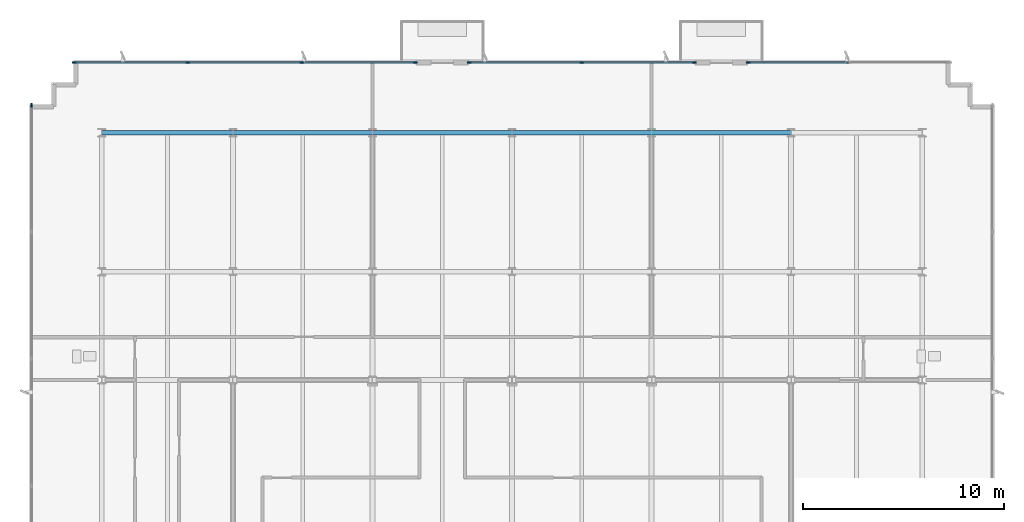
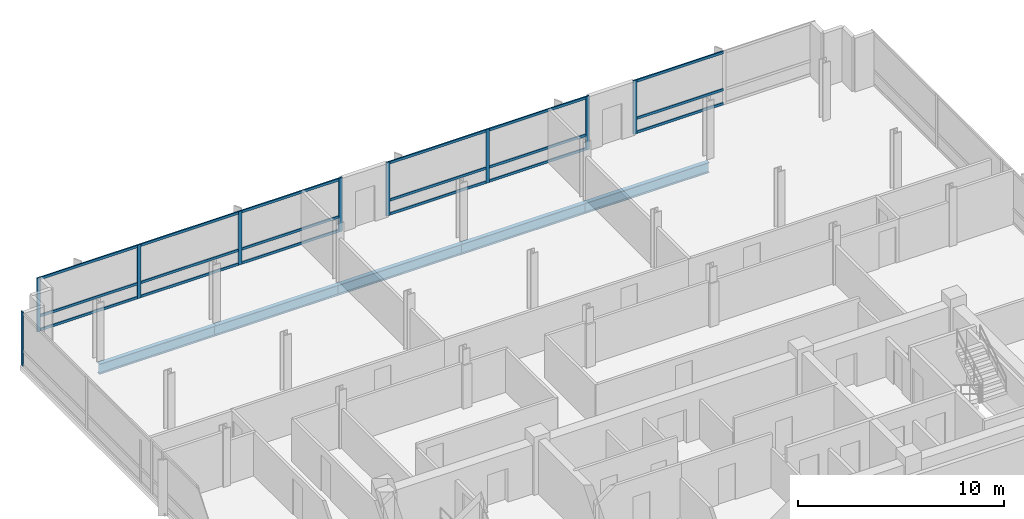
# One storey, part 5 of 13: 27 members, 5 beams, 4 elements without a shape of their own.
"""IFC4 building model written with IfcOpenShell, lengths in metres."""

from ifc_helpers import new_model, si_unit, direction, frame, origin, origin_2d, place, context, subcontext, project, spatial, rectangle, i_section, extrude, material, material_profile, profile_set, type_object, element, aggregate, save


model = new_model("IFC4")

# Units and contexts
model_context = context("Model", 3, precision=1e-05, world=origin(), true_north=direction((0.0, 1.0)))
body_context = subcontext(model_context, "Body", "Model", "MODEL_VIEW")
ifc_project = project(units=[si_unit("LENGTHUNIT", "METRE"), si_unit("AREAUNIT", "SQUARE_METRE"), si_unit("VOLUMEUNIT", "CUBIC_METRE"), si_unit("PLANEANGLEUNIT", "RADIAN"), si_unit("MASSUNIT", "GRAM", prefix="KILO")], contexts=[model_context])

# Site, building, storey
site_placement = place(None, origin())
site = spatial("IfcSite", under=ifc_project, at=site_placement, CompositionType="ELEMENT")
building_placement = place(site_placement, origin())
building = spatial("IfcBuilding", under=site, at=building_placement, Name="Solmavex Isthmus Hotel", CompositionType="ELEMENT")
storey_placement = place(building_placement, frame((0.0, 0.0, 279.89990234375)))
storey = spatial("IfcBuildingStorey", under=building, at=storey_placement, Name="L76", CompositionType="ELEMENT", Elevation=279.89990234375)

# Beams
ifc_material_1 = material(Name="Steel ASTM A992 Grade 50", Category="steel")
ifc_material_profile_1 = material_profile(ifc_material_1, i_section(OverallWidth=0.230224609375, OverallDepth=0.617431640625, WebThickness=0.01318359375, FlangeThickness=0.022216796875, FilletRadius=0.01513671875, at=origin_2d()), Name="W24X94")
ifc_profile_set_1 = profile_set([ifc_material_profile_1], Name="Steel ASTM A992 Grade 50")
beam_type = type_object("IfcBeamType", Name="BM-SP-W24X94", PredefinedType="SPANDREL", material=ifc_profile_set_1)
beam_placement = place(storey_placement, frame((-20.39990234375, 17.699951171875, -0.568603515625), z_axis=(1.0, 0.0, 0.0), x_axis=(0.0, 1.0, 0.0)))
element("IfcBeam", 1, at=beam_placement, inside=storey, type_object=beam_type, Name="Floor Girder L76-UG15", PredefinedType="SPANDREL", context=body_context, shape_type="SweptSolid", body=[
    extrude(i_section(OverallWidth=0.230224609375, OverallDepth=0.617431640625, WebThickness=0.01318359375, FlangeThickness=0.022216796875, FilletRadius=0.01513671875, at=origin_2d()), origin(), (0.0, 0.0, 1.0), 6.52783203125),
])
for number, where, z_axis, x_axis, name in (
    (2, (-13.8720703125, 17.699951171875, -0.568603515625), (1.0, 0.0, 0.0), (0.0, 1.0, 0.0), "Floor Girder L76-UG16"),
    (3, (-6.93603515625, 17.699951171875, -0.568603515625), (1.0, 0.0, 0.0), (0.0, 1.0, 0.0), "Floor Girder L76-UG17"),
    (4, (0.0, 17.699951171875, -0.568603515625), (1.0, 0.0, 0.0), (0.0, 1.0, 0.0), "Floor Girder L76-UG18"),
    (5, (6.93603515625, 17.699951171875, -0.568603515625), (1.0, 0.0, 0.0), (0.0, 1.0, 0.0), "Floor Girder L76-UG19"),
):
    element("IfcBeam", number, at=place(storey_placement, frame(where, z_axis=z_axis, x_axis=x_axis)), inside=storey, type_object=beam_type, Name=name, PredefinedType="SPANDREL", context=body_context, shape_type="SweptSolid", body=[
        extrude(i_section(OverallWidth=0.230224609375, OverallDepth=0.617431640625, WebThickness=0.01318359375, FlangeThickness=0.022216796875, FilletRadius=0.01513671875, at=origin_2d()), origin(), (0.0, 0.0, 1.0), 6.93603515625),
    ])

# Curtain wall, members
ifc_material_2 = material(Name="Aluminium alloy 6063-T6", Category="aluminium")
curtain_wall_type = type_object("IfcCurtainWallType", Name="CW-SYS-04", PredefinedType="NOTDEFINED", material=ifc_material_2)
curtain_wall_1_placement = place(storey_placement, origin())
curtain_wall_1 = element("IfcCurtainWall", 6, at=curtain_wall_1_placement, inside=storey, type_object=curtain_wall_type, Name="Stick Curtain Wall CWL-L76-N1", PredefinedType="NOTDEFINED")
ifc_material_profile_2 = material_profile(ifc_material_2, rectangle(XDim=0.074951171875, YDim=0.199951171875, at=origin_2d()), Name="CWM-75X200")
ifc_profile_set_2 = profile_set([ifc_material_profile_2], Name="Aluminium alloy 6063-T6")
member_type_1 = type_object("IfcMemberType", Name="CW-SYS-04-MUL", PredefinedType="MULLION", material=ifc_profile_set_2)
member_1_placement = place(storey_placement, frame((-21.762451171875, 21.179931640625, 0.0), z_axis=(0.0, 0.0, 1.0), x_axis=(0.0, 1.0, 0.0)))
member_1 = element("IfcMember", 7, at=member_1_placement, type_object=member_type_1, Name="CW-04 mullion 1", PredefinedType="MULLION", context=body_context, shape_type="SweptSolid", body=[
    extrude(rectangle(XDim=0.074951171875, YDim=0.199951171875, at=origin_2d()), origin(), (0.0, 0.0, 1.0), 3.190185546875),
])
member_2_placement = place(storey_placement, frame((-16.12255859375, 21.179931640625, 0.0), z_axis=(0.0, 0.0, 1.0), x_axis=(0.0, 1.0, 0.0)))
member_2 = element("IfcMember", 8, at=member_2_placement, type_object=member_type_1, Name="CW-04 mullion 2", PredefinedType="MULLION", context=body_context, shape_type="SweptSolid", body=[
    extrude(rectangle(XDim=0.074951171875, YDim=0.199951171875, at=origin_2d()), origin(), (0.0, 0.0, 1.0), 3.190185546875),
])
member_3_placement = place(storey_placement, frame((-10.4453125, 21.179931640625, 0.0), z_axis=(0.0, 0.0, 1.0), x_axis=(0.0, 1.0, 0.0)))
member_3 = element("IfcMember", 9, at=member_3_placement, type_object=member_type_1, Name="CW-04 mullion 3", PredefinedType="MULLION", context=body_context, shape_type="SweptSolid", body=[
    extrude(rectangle(XDim=0.074951171875, YDim=0.199951171875, at=origin_2d()), origin(), (0.0, 0.0, 1.0), 3.190185546875),
])
member_4_placement = place(storey_placement, frame((-4.805419921875, 21.179931640625, 0.0), z_axis=(0.0, 0.0, 1.0), x_axis=(0.0, 1.0, 0.0)))
member_4 = element("IfcMember", 10, at=member_4_placement, type_object=member_type_1, Name="CW-04 mullion 4", PredefinedType="MULLION", context=body_context, shape_type="SweptSolid", body=[
    extrude(rectangle(XDim=0.074951171875, YDim=0.199951171875, at=origin_2d()), origin(), (0.0, 0.0, 1.0), 3.190185546875),
])

curtain_wall_2_placement = place(storey_placement, origin())
curtain_wall_2 = element("IfcCurtainWall", 11, at=curtain_wall_2_placement, inside=storey, type_object=curtain_wall_type, Name="Stick Curtain Wall CWL-L76-N2", PredefinedType="NOTDEFINED")
member_5_placement = place(storey_placement, frame((-2.130615234375, 21.179931640625, 0.0), z_axis=(0.0, 0.0, 1.0), x_axis=(0.0, 1.0, 0.0)))
member_5 = element("IfcMember", 12, at=member_5_placement, type_object=member_type_1, Name="CW-04 mullion 1", PredefinedType="MULLION", context=body_context, shape_type="SweptSolid", body=[
    extrude(rectangle(XDim=0.074951171875, YDim=0.199951171875, at=origin_2d()), origin(), (0.0, 0.0, 1.0), 3.190185546875),
])
member_6_placement = place(storey_placement, frame((3.468017578125, 21.179931640625, 0.0), z_axis=(0.0, 0.0, 1.0), x_axis=(0.0, 1.0, 0.0)))
member_6 = element("IfcMember", 13, at=member_6_placement, type_object=member_type_1, Name="CW-04 mullion 2", PredefinedType="MULLION", context=body_context, shape_type="SweptSolid", body=[
    extrude(rectangle(XDim=0.074951171875, YDim=0.199951171875, at=origin_2d()), origin(), (0.0, 0.0, 1.0), 3.190185546875),
])
member_7_placement = place(storey_placement, frame((9.06640625, 21.179931640625, 0.0), z_axis=(0.0, 0.0, 1.0), x_axis=(0.0, 1.0, 0.0)))
member_7 = element("IfcMember", 14, at=member_7_placement, type_object=member_type_1, Name="CW-04 mullion 3", PredefinedType="MULLION", context=body_context, shape_type="SweptSolid", body=[
    extrude(rectangle(XDim=0.074951171875, YDim=0.199951171875, at=origin_2d()), origin(), (0.0, 0.0, 1.0), 3.190185546875),
])

# Curtain wall, member
curtain_wall_3_placement = place(storey_placement, origin())
curtain_wall_3 = element("IfcCurtainWall", 15, at=curtain_wall_3_placement, inside=storey, type_object=curtain_wall_type, Name="Stick Curtain Wall CWL-L76-N3", PredefinedType="NOTDEFINED")
member_8_placement = place(storey_placement, frame((11.741455078125, 21.179931640625, 0.0), z_axis=(0.0, 0.0, 1.0), x_axis=(0.0, 1.0, 0.0)))
member_8 = element("IfcMember", 16, at=member_8_placement, type_object=member_type_1, Name="CW-04 mullion 1", PredefinedType="MULLION", context=body_context, shape_type="SweptSolid", body=[
    extrude(rectangle(XDim=0.074951171875, YDim=0.199951171875, at=origin_2d()), origin(), (0.0, 0.0, 1.0), 3.190185546875),
])

curtain_wall_4_placement = place(storey_placement, origin())
curtain_wall_4 = element("IfcCurtainWall", 17, at=curtain_wall_4_placement, inside=storey, type_object=curtain_wall_type, Name="Stick Curtain Wall CWL-L76-W1", PredefinedType="NOTDEFINED")
member_9_placement = place(storey_placement, frame((-23.8798828125, 19.0625, 0.0), z_axis=(0.0, 0.0, 1.0), x_axis=(-1.0, 0.0, 0.0)))
member_9 = element("IfcMember", 18, at=member_9_placement, type_object=member_type_1, Name="CW-04 mullion 6", PredefinedType="MULLION", context=body_context, shape_type="SweptSolid", body=[
    extrude(rectangle(XDim=0.074951171875, YDim=0.199951171875, at=origin_2d()), origin(), (0.0, 0.0, 1.0), 3.190185546875),
])
aggregate(curtain_wall_4, [member_9])

# Member
ifc_material_profile_3 = material_profile(ifc_material_2, rectangle(XDim=0.074951171875, YDim=0.14990234375, at=origin_2d()), Name="CWT-75X150")
ifc_profile_set_3 = profile_set([ifc_material_profile_3], Name="Aluminium alloy 6063-T6")
member_type_2 = type_object("IfcMemberType", Name="CW-SYS-04-TRN", PredefinedType="USERDEFINED", material=ifc_profile_set_3)
member_10_placement = place(storey_placement, frame((-21.72509765625, 21.179931640625, 0.0751953125), z_axis=(1.0, 0.0, 0.0), x_axis=(0.0, 1.0, 0.0)))
member_10 = element("IfcMember", 19, at=member_10_placement, type_object=member_type_2, Name="CW-04 transom 1.1", ObjectType="TRANSOM", PredefinedType="USERDEFINED", context=body_context, shape_type="SweptSolid", body=[
    extrude(rectangle(XDim=0.074951171875, YDim=0.14990234375, at=origin_2d()), origin(), (0.0, 0.0, 1.0), 5.56494140625),
])

member_11_placement = place(storey_placement, frame((-21.72509765625, 21.179931640625, 0.900146484375), z_axis=(1.0, 0.0, 0.0), x_axis=(0.0, 1.0, 0.0)))
member_11 = element("IfcMember", 20, at=member_11_placement, type_object=member_type_2, Name="CW-04 transom 1.2", ObjectType="TRANSOM", PredefinedType="USERDEFINED", context=body_context, shape_type="SweptSolid", body=[
    extrude(rectangle(XDim=0.074951171875, YDim=0.14990234375, at=origin_2d()), origin(), (0.0, 0.0, 1.0), 5.56494140625),
])

member_12_placement = place(storey_placement, frame((-21.72509765625, 21.179931640625, 3.114990234375), z_axis=(1.0, 0.0, 0.0), x_axis=(0.0, 1.0, 0.0)))
member_12 = element("IfcMember", 21, at=member_12_placement, type_object=member_type_2, Name="CW-04 transom 1.3", ObjectType="TRANSOM", PredefinedType="USERDEFINED", context=body_context, shape_type="SweptSolid", body=[
    extrude(rectangle(XDim=0.074951171875, YDim=0.14990234375, at=origin_2d()), origin(), (0.0, 0.0, 1.0), 5.56494140625),
])

member_13_placement = place(storey_placement, frame((-16.085205078125, 21.179931640625, 0.0751953125), z_axis=(1.0, 0.0, 0.0), x_axis=(0.0, 1.0, 0.0)))
member_13 = element("IfcMember", 22, at=member_13_placement, type_object=member_type_2, Name="CW-04 transom 2.1", ObjectType="TRANSOM", PredefinedType="USERDEFINED", context=body_context, shape_type="SweptSolid", body=[
    extrude(rectangle(XDim=0.074951171875, YDim=0.14990234375, at=origin_2d()), origin(), (0.0, 0.0, 1.0), 5.602294921875),
])

member_14_placement = place(storey_placement, frame((-16.085205078125, 21.179931640625, 0.900146484375), z_axis=(1.0, 0.0, 0.0), x_axis=(0.0, 1.0, 0.0)))
member_14 = element("IfcMember", 23, at=member_14_placement, type_object=member_type_2, Name="CW-04 transom 2.2", ObjectType="TRANSOM", PredefinedType="USERDEFINED", context=body_context, shape_type="SweptSolid", body=[
    extrude(rectangle(XDim=0.074951171875, YDim=0.14990234375, at=origin_2d()), origin(), (0.0, 0.0, 1.0), 5.602294921875),
])

member_15_placement = place(storey_placement, frame((-16.085205078125, 21.179931640625, 3.114990234375), z_axis=(1.0, 0.0, 0.0), x_axis=(0.0, 1.0, 0.0)))
member_15 = element("IfcMember", 24, at=member_15_placement, type_object=member_type_2, Name="CW-04 transom 2.3", ObjectType="TRANSOM", PredefinedType="USERDEFINED", context=body_context, shape_type="SweptSolid", body=[
    extrude(rectangle(XDim=0.074951171875, YDim=0.14990234375, at=origin_2d()), origin(), (0.0, 0.0, 1.0), 5.602294921875),
])

member_16_placement = place(storey_placement, frame((-10.40771484375, 21.179931640625, 0.0751953125), z_axis=(1.0, 0.0, 0.0), x_axis=(0.0, 1.0, 0.0)))
member_16 = element("IfcMember", 25, at=member_16_placement, type_object=member_type_2, Name="CW-04 transom 3.1", ObjectType="TRANSOM", PredefinedType="USERDEFINED", context=body_context, shape_type="SweptSolid", body=[
    extrude(rectangle(XDim=0.074951171875, YDim=0.14990234375, at=origin_2d()), origin(), (0.0, 0.0, 1.0), 5.564697265625),
])

member_17_placement = place(storey_placement, frame((-10.40771484375, 21.179931640625, 0.900146484375), z_axis=(1.0, 0.0, 0.0), x_axis=(0.0, 1.0, 0.0)))
member_17 = element("IfcMember", 26, at=member_17_placement, type_object=member_type_2, Name="CW-04 transom 3.2", ObjectType="TRANSOM", PredefinedType="USERDEFINED", context=body_context, shape_type="SweptSolid", body=[
    extrude(rectangle(XDim=0.074951171875, YDim=0.14990234375, at=origin_2d()), origin(), (0.0, 0.0, 1.0), 5.564697265625),
])

member_18_placement = place(storey_placement, frame((-10.40771484375, 21.179931640625, 3.114990234375), z_axis=(1.0, 0.0, 0.0), x_axis=(0.0, 1.0, 0.0)))
member_18 = element("IfcMember", 27, at=member_18_placement, type_object=member_type_2, Name="CW-04 transom 3.3", ObjectType="TRANSOM", PredefinedType="USERDEFINED", context=body_context, shape_type="SweptSolid", body=[
    extrude(rectangle(XDim=0.074951171875, YDim=0.14990234375, at=origin_2d()), origin(), (0.0, 0.0, 1.0), 5.564697265625),
])

aggregate(curtain_wall_1, [member_1, member_2, member_3, member_4, member_10, member_11, member_12, member_13, member_14, member_15, member_16, member_17, member_18])

member_19_placement = place(storey_placement, frame((-2.093017578125, 21.179931640625, 0.0751953125), z_axis=(1.0, 0.0, 0.0), x_axis=(0.0, 1.0, 0.0)))
member_19 = element("IfcMember", 28, at=member_19_placement, type_object=member_type_2, Name="CW-04 transom 1.1", ObjectType="TRANSOM", PredefinedType="USERDEFINED", context=body_context, shape_type="SweptSolid", body=[
    extrude(rectangle(XDim=0.074951171875, YDim=0.14990234375, at=origin_2d()), origin(), (0.0, 0.0, 1.0), 5.5234375),
])

member_20_placement = place(storey_placement, frame((-2.093017578125, 21.179931640625, 0.900146484375), z_axis=(1.0, 0.0, 0.0), x_axis=(0.0, 1.0, 0.0)))
member_20 = element("IfcMember", 29, at=member_20_placement, type_object=member_type_2, Name="CW-04 transom 1.2", ObjectType="TRANSOM", PredefinedType="USERDEFINED", context=body_context, shape_type="SweptSolid", body=[
    extrude(rectangle(XDim=0.074951171875, YDim=0.14990234375, at=origin_2d()), origin(), (0.0, 0.0, 1.0), 5.5234375),
])

member_21_placement = place(storey_placement, frame((-2.093017578125, 21.179931640625, 3.114990234375), z_axis=(1.0, 0.0, 0.0), x_axis=(0.0, 1.0, 0.0)))
member_21 = element("IfcMember", 30, at=member_21_placement, type_object=member_type_2, Name="CW-04 transom 1.3", ObjectType="TRANSOM", PredefinedType="USERDEFINED", context=body_context, shape_type="SweptSolid", body=[
    extrude(rectangle(XDim=0.074951171875, YDim=0.14990234375, at=origin_2d()), origin(), (0.0, 0.0, 1.0), 5.5234375),
])

member_22_placement = place(storey_placement, frame((3.505615234375, 21.179931640625, 0.0751953125), z_axis=(1.0, 0.0, 0.0), x_axis=(0.0, 1.0, 0.0)))
member_22 = element("IfcMember", 31, at=member_22_placement, type_object=member_type_2, Name="CW-04 transom 2.1", ObjectType="TRANSOM", PredefinedType="USERDEFINED", context=body_context, shape_type="SweptSolid", body=[
    extrude(rectangle(XDim=0.074951171875, YDim=0.14990234375, at=origin_2d()), origin(), (0.0, 0.0, 1.0), 5.5234375),
])

member_23_placement = place(storey_placement, frame((3.505615234375, 21.179931640625, 0.900146484375), z_axis=(1.0, 0.0, 0.0), x_axis=(0.0, 1.0, 0.0)))
member_23 = element("IfcMember", 32, at=member_23_placement, type_object=member_type_2, Name="CW-04 transom 2.2", ObjectType="TRANSOM", PredefinedType="USERDEFINED", context=body_context, shape_type="SweptSolid", body=[
    extrude(rectangle(XDim=0.074951171875, YDim=0.14990234375, at=origin_2d()), origin(), (0.0, 0.0, 1.0), 5.5234375),
])

member_24_placement = place(storey_placement, frame((3.505615234375, 21.179931640625, 3.114990234375), z_axis=(1.0, 0.0, 0.0), x_axis=(0.0, 1.0, 0.0)))
member_24 = element("IfcMember", 33, at=member_24_placement, type_object=member_type_2, Name="CW-04 transom 2.3", ObjectType="TRANSOM", PredefinedType="USERDEFINED", context=body_context, shape_type="SweptSolid", body=[
    extrude(rectangle(XDim=0.074951171875, YDim=0.14990234375, at=origin_2d()), origin(), (0.0, 0.0, 1.0), 5.5234375),
])

aggregate(curtain_wall_2, [member_5, member_6, member_7, member_19, member_20, member_21, member_22, member_23, member_24])

member_25_placement = place(storey_placement, frame((11.779052734375, 21.179931640625, 0.0751953125), z_axis=(1.0, 0.0, 0.0), x_axis=(0.0, 1.0, 0.0)))
member_25 = element("IfcMember", 34, at=member_25_placement, type_object=member_type_2, Name="CW-04 transom 1.1", ObjectType="TRANSOM", PredefinedType="USERDEFINED", context=body_context, shape_type="SweptSolid", body=[
    extrude(rectangle(XDim=0.074951171875, YDim=0.14990234375, at=origin_2d()), origin(), (0.0, 0.0, 1.0), 4.935546875),
])

member_26_placement = place(storey_placement, frame((11.779052734375, 21.179931640625, 0.900146484375), z_axis=(1.0, 0.0, 0.0), x_axis=(0.0, 1.0, 0.0)))
member_26 = element("IfcMember", 35, at=member_26_placement, type_object=member_type_2, Name="CW-04 transom 1.2", ObjectType="TRANSOM", PredefinedType="USERDEFINED", context=body_context, shape_type="SweptSolid", body=[
    extrude(rectangle(XDim=0.074951171875, YDim=0.14990234375, at=origin_2d()), origin(), (0.0, 0.0, 1.0), 4.935546875),
])

member_27_placement = place(storey_placement, frame((11.779052734375, 21.179931640625, 3.114990234375), z_axis=(1.0, 0.0, 0.0), x_axis=(0.0, 1.0, 0.0)))
member_27 = element("IfcMember", 36, at=member_27_placement, type_object=member_type_2, Name="CW-04 transom 1.3", ObjectType="TRANSOM", PredefinedType="USERDEFINED", context=body_context, shape_type="SweptSolid", body=[
    extrude(rectangle(XDim=0.074951171875, YDim=0.14990234375, at=origin_2d()), origin(), (0.0, 0.0, 1.0), 4.935546875),
])

aggregate(curtain_wall_3, [member_8, member_25, member_26, member_27])

save(model, "model.ifc")
